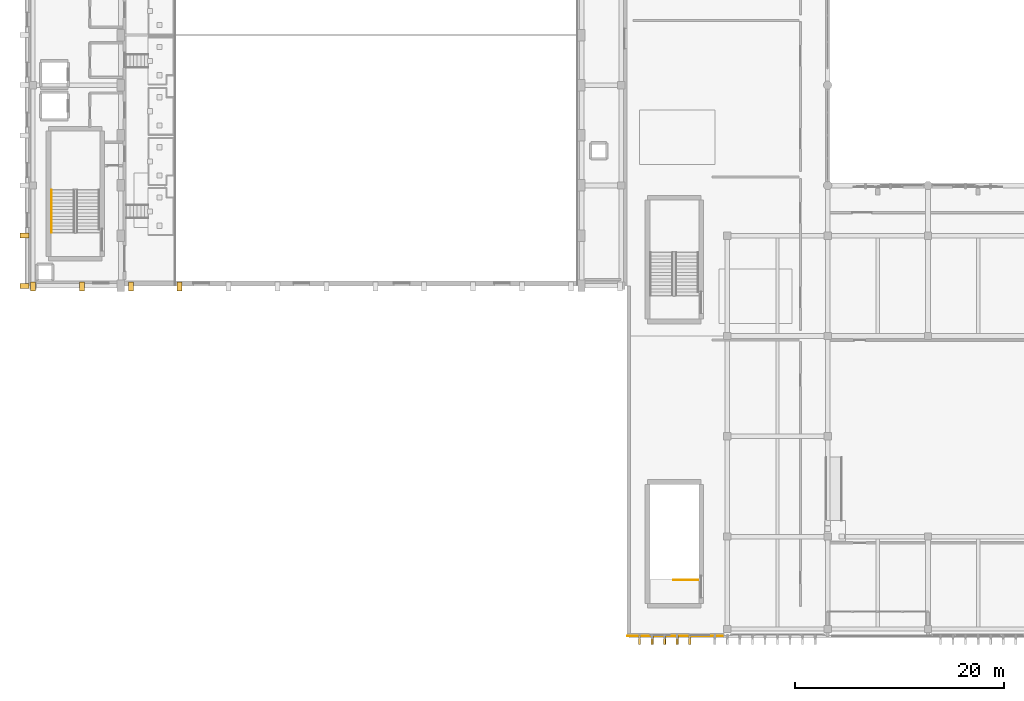
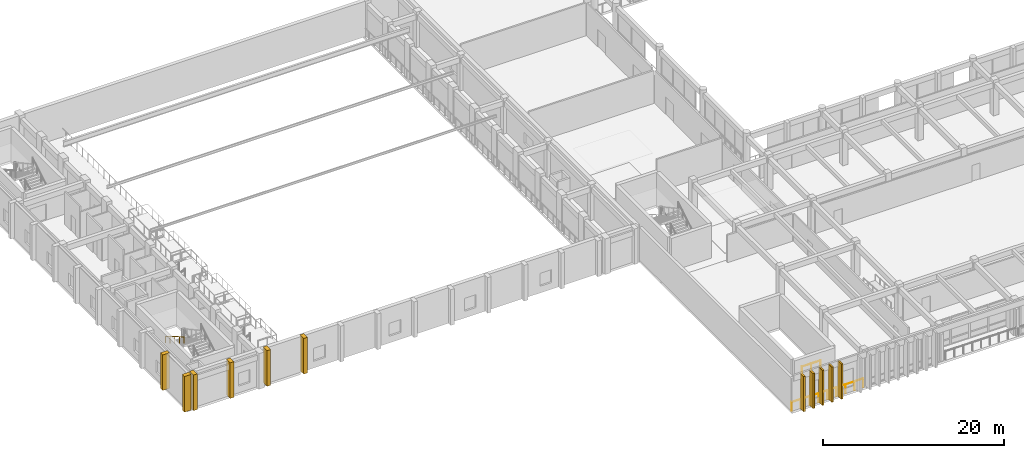
# One storey, part 115 of 133: 11 coverings, 5 shading devices, 3 railings.
"""IFC4 building model written with IfcOpenShell, lengths in metres."""

from ifc_helpers import new_model, si_unit, direction, frame, origin, origin_2d, place, context, subcontext, project, spatial, rectangle, circle, extrude, material, layer, layer_set, type_object, element, save


model = new_model("IFC4")

# Units and contexts
model_context = context("Model", 3, precision=1e-05, world=origin(), true_north=direction((0.0, 1.0)))
body_context = subcontext(model_context, "Body", "Model", "MODEL_VIEW")
ifc_project = project(units=[si_unit("LENGTHUNIT", "METRE"), si_unit("AREAUNIT", "SQUARE_METRE"), si_unit("VOLUMEUNIT", "CUBIC_METRE"), si_unit("PLANEANGLEUNIT", "RADIAN"), si_unit("MASSUNIT", "GRAM", prefix="KILO")], contexts=[model_context])

# Site, building, storey
site_placement = place(None, origin())
site = spatial("IfcSite", under=ifc_project, at=site_placement, CompositionType="ELEMENT")
building_placement = place(site_placement, origin())
building = spatial("IfcBuilding", under=site, at=building_placement, Name="Nakhvara Creek Congress Hotel", CompositionType="ELEMENT")
storey_placement = place(building_placement, frame((0.0, 0.0, 11.39990234375)))
storey = spatial("IfcBuildingStorey", under=building, at=storey_placement, Name="L02", CompositionType="ELEMENT", Elevation=11.39990234375)

# Coverings
ifc_material_1 = material(Name="Honed pale Omani limestone architectural cladding", Category="masonry")
ifc_layer_1 = layer(ifc_material_1, 0.449951171875)
ifc_layer_set_1 = layer_set([ifc_layer_1], Name="Honed pale Omani limestone architectural cladding")
covering_type_1 = type_object("IfcCoveringType", Name="COV-BUTT-850", PredefinedType="CLADDING", material=ifc_layer_set_1)
for number, where, z_axis, x_axis, name in (
    (1, (-0.06494140625, 33.60009765625, 0.0), (0.0, 0.0, 1.0), (0.0, 1.0, 0.0), "Gothic Limestone Buttress Pier CF03-0484"),
    (2, (-0.06494140625, 38.39990234375, 0.0), (0.0, 0.0, 1.0), (0.0, 1.0, 0.0), "Gothic Limestone Buttress Pier CF03-0485"),
    (3, (0.75, 33.534912109375, 0.0), (0.0, 0.0, 1.0), (1.0, 0.0, 0.0), "Gothic Limestone Buttress Pier CF03-0496"),
    (4, (5.429931640625, 33.534912109375, 0.0), (0.0, 0.0, 1.0), (1.0, 0.0, 0.0), "Gothic Limestone Buttress Pier CF03-0497"),
    (5, (10.110107421875, 33.534912109375, 0.0), (0.0, 0.0, 1.0), (1.0, 0.0, 0.0), "Gothic Limestone Buttress Pier CF03-0498"),
    (6, (14.7900390625, 33.534912109375, 0.0), (0.0, 0.0, 1.0), (1.0, 0.0, 0.0), "Gothic Limestone Buttress Pier CF03-0499"),
):
    element("IfcCovering", number, at=place(storey_placement, frame(where, z_axis=z_axis, x_axis=x_axis)), inside=storey, type_object=covering_type_1, Name=name, PredefinedType="CLADDING", context=body_context, shape_type="SweptSolid", body=[
        extrude(rectangle(XDim=0.47998046875, YDim=0.85009765625, at=origin_2d()), origin(), (0.0, 0.0, 1.0), 4.800048828125),
    ])
ifc_layer_2 = layer(ifc_material_1, 0.219970703125)
ifc_layer_set_2 = layer_set([ifc_layer_2], Name="Honed pale Omani limestone architectural cladding")
covering_type_2 = type_object("IfcCoveringType", Name="COV-FIN-850", PredefinedType="CLADDING", material=ifc_layer_set_2)
for number, where, z_axis, x_axis, name in (
    (7, (58.800048828125, -0.304931640625, 0.0), (0.0, 0.0, 1.0), (1.0, 0.0, 0.0), "Pale Limestone Fin Cladding CF01-0217"),
    (8, (60.0, -0.304931640625, 0.0), (0.0, 0.0, 1.0), (1.0, 0.0, 0.0), "Pale Limestone Fin Cladding CF01-0218"),
    (9, (61.199951171875, -0.304931640625, 0.0), (0.0, 0.0, 1.0), (1.0, 0.0, 0.0), "Pale Limestone Fin Cladding CF01-0219"),
    (10, (62.39990234375, -0.304931640625, 0.0), (0.0, 0.0, 1.0), (1.0, 0.0, 0.0), "Pale Limestone Fin Cladding CF01-0220"),
    (11, (63.60009765625, -0.304931640625, 0.0), (0.0, 0.0, 1.0), (1.0, 0.0, 0.0), "Pale Limestone Fin Cladding CF01-0221"),
):
    element("IfcCovering", number, at=place(storey_placement, frame(where, z_axis=z_axis, x_axis=x_axis)), inside=storey, type_object=covering_type_2, Name=name, PredefinedType="CLADDING", context=body_context, shape_type="SweptSolid", body=[
        extrude(rectangle(XDim=0.219970703125, YDim=0.85009765625, at=origin_2d()), origin(), (0.0, 0.0, 1.0), 4.719970703125),
    ])

# Railings
ifc_material_2 = material(Name="Brushed stainless steel 316L", Category="steel")
railing_type_1 = type_object("IfcRailingType", Name="RL-GUARD-1200", PredefinedType="GUARDRAIL", material=ifc_material_2)
railing_1_placement = place(storey_placement, frame((57.659912109375, 0.080078125, 0.0)))
element("IfcRailing", 12, at=railing_1_placement, inside=storey, type_object=railing_type_1, Name="South Spa Facade Safety Rail L02-57", PredefinedType="GUARDRAIL", context=body_context, shape_type="SweptSolid", body=[
    extrude(circle(Radius=0.02392578125, at=origin_2d()), frame((0.0146484375, 0.0, 1.17578125), z_axis=(1.0, 0.0, 0.0), x_axis=(0.0, 1.0, 0.0)), (0.0, 0.0, 1.0), 9.060791015625),
    extrude(circle(Radius=0.02099609375, at=origin_2d()), origin(), (0.0, 0.0, 1.0), 1.1806640625),
    extrude(circle(Radius=0.02099609375, at=origin_2d()), frame((1.13623046875, 0.0, 0.0)), (0.0, 0.0, 1.0), 1.1806640625),
    extrude(circle(Radius=0.02099609375, at=origin_2d()), frame((2.2724609375, 0.0, 0.0)), (0.0, 0.0, 1.0), 1.1806640625),
    extrude(circle(Radius=0.02099609375, at=origin_2d()), frame((3.40869140625, 0.0, 0.0)), (0.0, 0.0, 1.0), 1.1806640625),
    extrude(circle(Radius=0.02099609375, at=origin_2d()), frame((4.544921875, 0.0, 0.0)), (0.0, 0.0, 1.0), 1.1806640625),
    extrude(circle(Radius=0.02099609375, at=origin_2d()), frame((5.681396484375, 0.0, 0.0)), (0.0, 0.0, 1.0), 1.1806640625),
    extrude(circle(Radius=0.02099609375, at=origin_2d()), frame((6.817626953125, 0.0, 0.0)), (0.0, 0.0, 1.0), 1.1806640625),
    extrude(circle(Radius=0.02099609375, at=origin_2d()), frame((7.953857421875, 0.0, 0.0)), (0.0, 0.0, 1.0), 1.1806640625),
    extrude(circle(Radius=0.02099609375, at=origin_2d()), frame((9.090087890625, 0.0, 0.0)), (0.0, 0.0, 1.0), 1.1806640625),
])
railing_2_placement = place(storey_placement, frame((64.389892578125, 5.429931640625, 0.0)))
element("IfcRailing", 13, at=railing_2_placement, inside=storey, type_object=railing_type_1, Name="L02 ST11 top well guard 1", PredefinedType="GUARDRAIL", context=body_context, shape_type="SweptSolid", body=[
    extrude(circle(Radius=0.02392578125, at=origin_2d()), frame((-0.0146484375, 0.0, 1.17578125), z_axis=(-1.0, 0.0, 0.0), x_axis=(0.0, -1.0, 0.0)), (0.0, 0.0, 1.0), 2.310546875),
    extrude(circle(Radius=0.02099609375, at=origin_2d()), origin(), (0.0, 0.0, 1.0), 1.1806640625),
    extrude(circle(Radius=0.02099609375, at=origin_2d()), frame((-1.169921875, 0.0, 0.0)), (0.0, 0.0, 1.0), 1.1806640625),
    extrude(circle(Radius=0.02099609375, at=origin_2d()), frame((-2.33984375, 0.0, 0.0)), (0.0, 0.0, 1.0), 1.1806640625),
])
railing_type_2 = type_object("IfcRailingType", Name="RL-HAND-900", PredefinedType="HANDRAIL", material=ifc_material_2)
railing_3_placement = place(storey_placement, frame((2.52490234375, 42.77490234375, 2.571533203125)))
element("IfcRailing", 14, at=railing_3_placement, inside=storey, type_object=railing_type_2, Name="L02 ST05 stair handrail 2", PredefinedType="HANDRAIL", context=body_context, shape_type="SweptSolid", body=[
    extrude(circle(Radius=0.02392578125, at=origin_2d()), frame((0.0, -0.0126953125, 0.88330078125), z_axis=(0.0, -0.861742646415, 0.507345652736), x_axis=(1.0, 0.0, 0.0)), (0.0, 0.0, 1.0), 4.72265625),
    extrude(circle(Radius=0.02099609375, at=origin_2d()), origin(), (0.0, 0.0, 1.0), 0.880615234375),
    extrude(circle(Radius=0.02099609375, at=origin_2d()), frame((0.0, -1.023681640625, 0.602783203125)), (0.0, 0.0, 1.0), 0.880615234375),
    extrude(circle(Radius=0.02099609375, at=origin_2d()), frame((0.0, -2.04736328125, 1.20556640625)), (0.0, 0.0, 1.0), 0.880615234375),
    extrude(circle(Radius=0.02099609375, at=origin_2d()), frame((0.0, -3.0712890625, 1.80810546875)), (0.0, 0.0, 1.0), 0.880615234375),
    extrude(circle(Radius=0.02099609375, at=origin_2d()), frame((0.0, -4.094970703125, 2.410888671875)), (0.0, 0.0, 1.0), 0.880615234375),
])

# Shading devices
ifc_material_3 = material(Name="Honed pale Omani limestone cladding on stainless steel spine", Category="masonry")
shading_device_type = type_object("IfcShadingDeviceType", Name="SHD-FIN-850X4700", PredefinedType="USERDEFINED", material=ifc_material_3)
for number, where, z_axis, x_axis, name in (
    (15, (58.800048828125, -0.304931640625, 0.0), (0.0, 0.0, 1.0), (1.0, 0.0, 0.0), "Limestone Solar Fin FN02-0217"),
    (16, (60.0, -0.304931640625, 0.0), (0.0, 0.0, 1.0), (1.0, 0.0, 0.0), "Limestone Solar Fin FN02-0218"),
    (17, (61.199951171875, -0.304931640625, 0.0), (0.0, 0.0, 1.0), (1.0, 0.0, 0.0), "Limestone Solar Fin FN02-0219"),
    (18, (62.39990234375, -0.304931640625, 0.0), (0.0, 0.0, 1.0), (1.0, 0.0, 0.0), "Limestone Solar Fin FN02-0220"),
    (19, (63.60009765625, -0.304931640625, 0.0), (0.0, 0.0, 1.0), (1.0, 0.0, 0.0), "Limestone Solar Fin FN02-0221"),
):
    element("IfcShadingDevice", number, at=place(storey_placement, frame(where, z_axis=z_axis, x_axis=x_axis)), inside=storey, type_object=shading_device_type, Name=name, ObjectType="FIN", PredefinedType="USERDEFINED", context=body_context, shape_type="SweptSolid", body=[
        extrude(rectangle(XDim=0.199951171875, YDim=0.85009765625, at=origin_2d()), origin(), (0.0, 0.0, 1.0), 4.719970703125),
    ])

save(model, "model.ifc")
